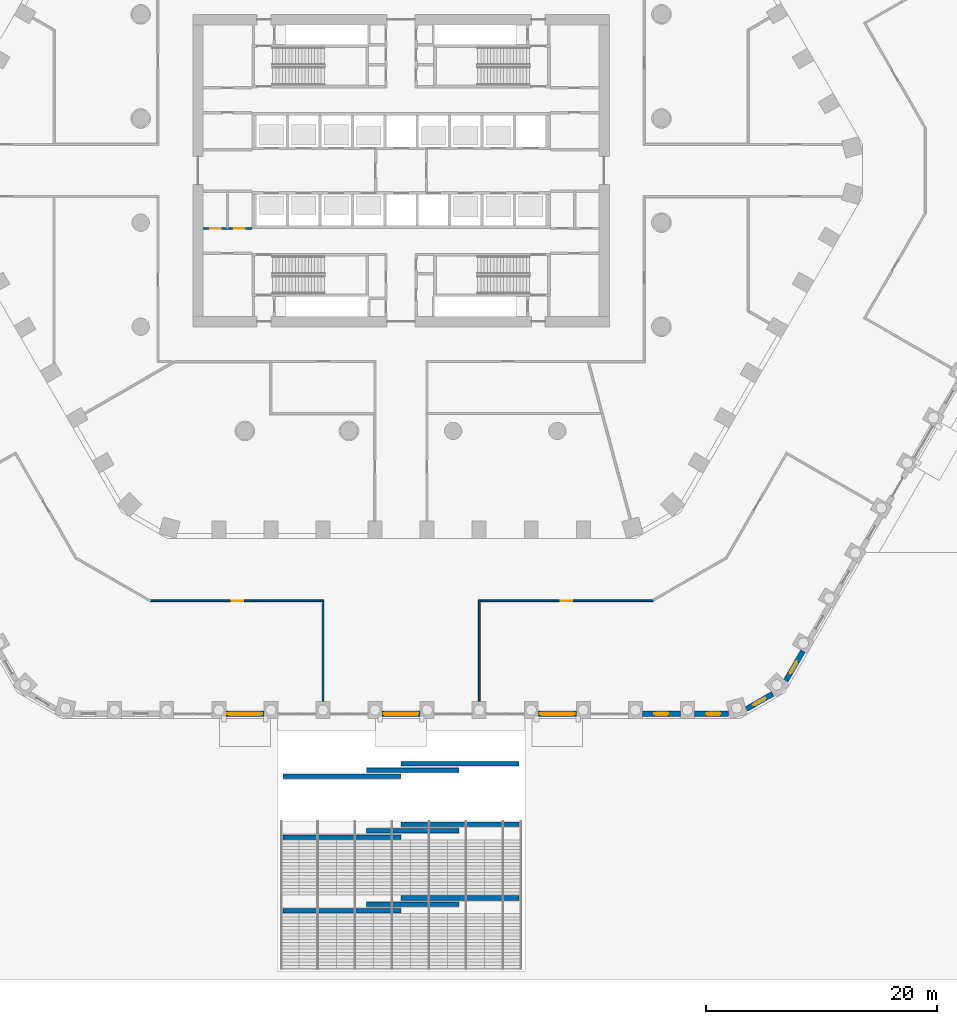
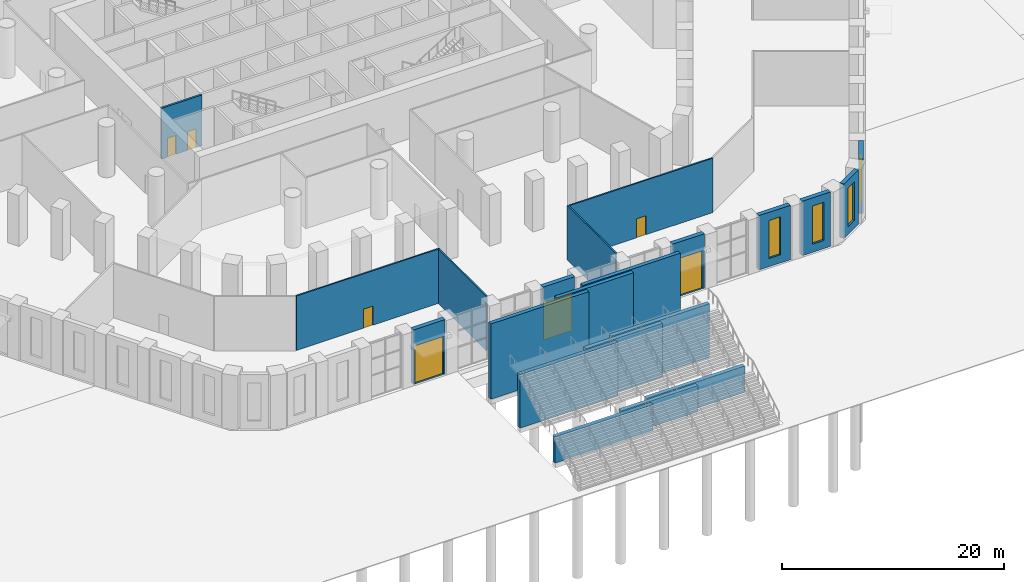
# One storey, part 15 of 44: 21 walls, 7 doors, 4 windows, 11 openings.
"""IFC4 building model written with IfcOpenShell, lengths in metres."""

import ifcopenshell
import ifcopenshell.guid

model = None  # the IFC model being written
_history = None  # IfcOwnerHistory: only IFC2X3 demands one
_inside = {}  # id of a spatial element -> (the spatial element, [elements in it])
_under = {}  # id of a project, library or spatial element -> (it, [spatial elements below it])
_declared = {}  # id of a project -> (the project, [libraries it declares])
_typed = {}  # id of a type object -> (the type object, [elements of that type])
_made_of = {}  # id of a material, layer set ... -> (it, [elements and type objects made of it])


def new_model(schema):
    """Start an empty IFC model of exactly this schema.

    Asked for "IFC4X3", IfcOpenShell would pick the latest addendum, in which some entities
    have other attributes; the version numbers below select the first issue.
    IFC2X3 requires an IfcOwnerHistory on every rooted entity: one is made here for all.
    """
    global model, _history
    if schema == "IFC4X3":
        model = ifcopenshell.file(schema_version=(4, 3, 0, 0))
    else:
        model = ifcopenshell.file(schema=schema)
    _inside.clear()
    _under.clear()
    _declared.clear()
    _typed.clear()
    _made_of.clear()
    _history = None
    if model.schema == "IFC2X3":
        org = make("IfcOrganization", Name="unknown")
        user = make(
            "IfcPersonAndOrganization",
            ThePerson=make("IfcPerson", FamilyName="unknown"),
            TheOrganization=org,
        )
        app = make(
            "IfcApplication",
            ApplicationDeveloper=org,
            Version="unknown",
            ApplicationFullName="unknown",
            ApplicationIdentifier="unknown",
        )
        _history = make(
            "IfcOwnerHistory",
            OwningUser=user,
            OwningApplication=app,
            ChangeAction="ADDED",
            CreationDate=0,
        )
    return model


def make(cls, **values):
    """One entity of the class cls with the attributes given. An attribute that is None is left unset."""
    return model.create_entity(
        cls, **{name: value for name, value in values.items() if value is not None}
    )


def rooted(cls, **values):
    """An entity with a GlobalId (a new one), such as an element, a storey or a relation."""
    return make(cls, GlobalId=ifcopenshell.guid.new(), OwnerHistory=_history, **values)


def si_unit(unit_type, name, prefix=None):
    """IfcSIUnit, for example si_unit("LENGTHUNIT", "METRE", prefix="MILLI")."""
    return make("IfcSIUnit", UnitType=unit_type, Prefix=prefix, Name=name)


def assignment(units):
    """IfcUnitAssignment: the units of a project."""
    return None if units is None else make("IfcUnitAssignment", Units=units)


def point(xyz):
    """IfcCartesianPoint."""
    return None if xyz is None else make("IfcCartesianPoint", Coordinates=xyz)


def direction(xyz):
    """IfcDirection."""
    return None if xyz is None else make("IfcDirection", DirectionRatios=xyz)


def frame(location, z_axis=None, x_axis=None):
    """IfcAxis2Placement3D, a coordinate frame: its origin and axes. An axis left out is left unset."""
    return make(
        "IfcAxis2Placement3D",
        Location=point(location),
        Axis=direction(z_axis),
        RefDirection=direction(x_axis),
    )


def frame_2d(location, x_axis=None):
    """IfcAxis2Placement2D, a coordinate frame in the plane: its origin and x axis."""
    return make(
        "IfcAxis2Placement2D", Location=point(location), RefDirection=direction(x_axis)
    )


def origin():
    """The frame at (0, 0, 0) with its axes left unset."""
    return frame((0.0, 0.0, 0.0))


def place(relative_to, where):
    """IfcLocalPlacement: puts the frame where relative to a parent placement (None: the world)."""
    return make(
        "IfcLocalPlacement", PlacementRelTo=relative_to, RelativePlacement=where
    )


def context(
    kind, dimensions, precision=None, world=None, true_north=None, identifier=None
):
    """IfcGeometricRepresentationContext, for example the 3D "Model" context."""
    return make(
        "IfcGeometricRepresentationContext",
        ContextIdentifier=identifier,
        ContextType=kind,
        CoordinateSpaceDimension=dimensions,
        Precision=precision,
        WorldCoordinateSystem=world,
        TrueNorth=true_north,
    )


def subcontext(parent, identifier, kind, view, scale=None):
    """IfcGeometricRepresentationSubContext, for example "Body" below "Model"."""
    return make(
        "IfcGeometricRepresentationSubContext",
        ContextIdentifier=identifier,
        ContextType=kind,
        ParentContext=parent,
        TargetScale=scale,
        TargetView=view,
    )


def project(units=None, contexts=None):
    """IfcProject with its units and contexts."""
    return rooted(
        "IfcProject",
        Name="project",
        RepresentationContexts=contexts,
        UnitsInContext=assignment(units),
    )


def spatial(cls, under=None, at=None, **own):
    """A site, building, storey or space (cls), placed at a placement, below another one or the project."""
    s = rooted(cls, ObjectPlacement=at, **own)
    if under is not None:
        _under.setdefault(under.id(), (under, []))[1].append(s)
    return s


def profile(cls, at=None, kind="AREA", **sizes):
    """A parametric profile (cls). Its sizes go by their IFC names, for example OverallWidth=200.0."""
    return make(cls, ProfileType=kind, Position=at, **sizes)


def rectangle(**sizes):
    """IfcRectangleProfileDef."""
    return profile("IfcRectangleProfileDef", **sizes)


def extrude(swept, where, along, depth):
    """IfcExtrudedAreaSolid: the profile swept, set in the frame where, extruded along a direction by depth."""
    return make(
        "IfcExtrudedAreaSolid",
        SweptArea=swept,
        Position=where,
        ExtrudedDirection=direction(along),
        Depth=depth,
    )


def shape(context_of_items, identifier, shape_type, items):
    """IfcShapeRepresentation: the items that make up one representation, for example the "Body"."""
    return make(
        "IfcShapeRepresentation",
        ContextOfItems=context_of_items,
        RepresentationIdentifier=identifier,
        RepresentationType=shape_type,
        Items=items,
    )


def material(Name=None, Category=None):
    """IfcMaterial."""
    return make("IfcMaterial", Name=Name, Category=Category)


def layer(
    of_material, thickness, ventilated=None, Name=None, Category=None, Priority=None
):
    """IfcMaterialLayer: one layer of a wall or slab, of a material (None: an air gap)."""
    return make(
        "IfcMaterialLayer",
        Material=of_material,
        LayerThickness=thickness,
        IsVentilated=ventilated,
        Name=Name,
        Category=Category,
        Priority=Priority,
    )


def layer_set(layers, Name=None):
    """IfcMaterialLayerSet."""
    return make("IfcMaterialLayerSet", MaterialLayers=layers, LayerSetName=Name)


def made_of(thing, what):
    """Note that an element or type object is made of a material, layer set ...; save() writes the relation."""
    if what is not None:
        _made_of.setdefault(what.id(), (what, []))[1].append(thing)
    return thing


def type_object(cls, material=None, **own):
    """A type object (cls), such as IfcWallType, which elements share."""
    return made_of(rooted(cls, **own), material)


def element(
    cls,
    number,
    at=None,
    inside=None,
    cuts=None,
    type_object=None,
    material=None,
    context=None,
    identifier="Body",
    shape_type=None,
    held_by="IfcProductDefinitionShape",
    body=None,
    shapes=None,
    **own,
):
    """One element of the class cls, such as IfcWall. Its Tag is "e" and its number.

    at: its placement. inside: the storey or other place that contains it. cuts: it is an
    opening in that element (IfcRelVoidsElement). A single representation is given by context,
    identifier, shape_type and body (its items); several are given by shapes. held_by: the class
    of the entity that holds the representations. save() writes the other relations.
    """
    e = rooted(cls, Tag="e%d" % number, ObjectPlacement=at, **own)
    if body is not None:
        shapes = [shape(context, identifier, shape_type, body)]
    if shapes is not None:
        e.Representation = make(held_by, Representations=shapes)
    if inside is not None:
        _inside.setdefault(inside.id(), (inside, []))[1].append(e)
    if cuts is not None:
        rooted(
            "IfcRelVoidsElement", RelatingBuildingElement=cuts, RelatedOpeningElement=e
        )
    if type_object is not None:
        _typed.setdefault(type_object.id(), (type_object, []))[1].append(e)
    return made_of(e, material)


def fill(opening, filler):
    """IfcRelFillsElement: the door or window that sits in an opening."""
    return rooted(
        "IfcRelFillsElement",
        RelatingOpeningElement=opening,
        RelatedBuildingElement=filler,
    )


def aggregate(whole, parts):
    """IfcRelAggregates: a whole, such as a stair, and the parts it consists of."""
    return rooted("IfcRelAggregates", RelatingObject=whole, RelatedObjects=parts)


def save(model, path):
    """Write the relations noted so far, then the file.

    IfcRelAggregates (storeys below a building ...), IfcRelContainedInSpatialStructure (elements
    in a storey), IfcRelDefinesByType, IfcRelAssociatesMaterial and IfcRelDeclares: one each for
    every whole, place, type object, material and project.
    """
    for whole, parts in _under.values():
        aggregate(whole, parts)
    for where, things in _inside.values():
        rooted(
            "IfcRelContainedInSpatialStructure",
            RelatedElements=things,
            RelatingStructure=where,
        )
    for kind, things in _typed.values():
        rooted("IfcRelDefinesByType", RelatedObjects=things, RelatingType=kind)
    for what, things in _made_of.values():
        rooted("IfcRelAssociatesMaterial", RelatedObjects=things, RelatingMaterial=what)
    for by, libraries in _declared.values():
        rooted("IfcRelDeclares", RelatingContext=by, RelatedDefinitions=libraries)
    model.write(path)


model = new_model("IFC4")

# Units and contexts
model_context = context("Model", 3, precision=1e-05, world=origin(), true_north=direction((0.0, 1.0)))
body_context = subcontext(model_context, "Body", "Model", "MODEL_VIEW")
ifc_project = project(units=[si_unit("LENGTHUNIT", "METRE"), si_unit("AREAUNIT", "SQUARE_METRE"), si_unit("VOLUMEUNIT", "CUBIC_METRE"), si_unit("PLANEANGLEUNIT", "RADIAN"), si_unit("MASSUNIT", "GRAM", prefix="KILO")], contexts=[model_context])

# Site, building, storey
site_placement = place(None, origin())
site = spatial("IfcSite", under=ifc_project, at=site_placement, CompositionType="ELEMENT")
building_placement = place(site_placement, origin())
building = spatial("IfcBuilding", under=site, at=building_placement, Name="Dhurran Vertical Campus", CompositionType="ELEMENT")
storey_placement = place(building_placement, origin())
storey = spatial("IfcBuildingStorey", under=building, at=storey_placement, Name="L00", CompositionType="ELEMENT", Elevation=0.0)

# Wall, opening, door
ifc_material_1 = material(Name="Precast concrete C50/60", Category="concrete")
ifc_layer_1 = layer(ifc_material_1, 0.449951171875)
ifc_layer_set_1 = layer_set([ifc_layer_1], Name="Precast concrete C50/60")
wall_type_1 = type_object("IfcWallType", Name="Precast base wall 450", PredefinedType="SOLIDWALL", material=ifc_layer_set_1)
wall_1_placement = place(storey_placement, frame((-11.8505859375, -46.943359375, 0.0), z_axis=(0.0, 0.0, 1.0), x_axis=(-1.0, 0.0, 0.0)))
wall_1 = element("IfcWall", 1, at=wall_1_placement, inside=storey, type_object=wall_type_1, Name="EW2 L00.03", PredefinedType="SOLIDWALL", context=body_context, shape_type="SweptSolid", body=[
    extrude(rectangle(XDim=3.298828125, YDim=0.449951171875, at=frame_2d((1.6494140625, 0.0))), origin(), (0.0, 0.0, 1.0), 6.0),
])
opening_1_placement = place(wall_1_placement, frame((0.1494140625, 0.0, 0.0)))
opening_1 = element("IfcOpeningElement", 2, at=opening_1_placement, cuts=wall_1, Name="Opening D001", PredefinedType="OPENING", context=body_context, shape_type="SweptSolid", body=[
    extrude(rectangle(XDim=3.0, YDim=4.199951171875, at=frame_2d((1.5, 2.10009765625))), frame((0.0, 0.23486328125, 0.0), z_axis=(0.0, -1.0, 0.0), x_axis=(1.0, 0.0, 0.0)), (0.0, 0.0, 1.0), 0.469970703125),
])
ifc_material_2 = material(Name="Aluminium and clear glass", Category="aluminium")
door_type_1 = type_object("IfcDoorType", Name="Aluminium and glass entrance portal door pair 3000 x 4200", OperationType="DOUBLE_DOOR_SINGLE_SWING", PredefinedType="DOOR", material=ifc_material_2)
door_1_placement = place(opening_1_placement, origin())
door_1 = element("IfcDoor", 3, at=door_1_placement, inside=storey, type_object=door_type_1, Name="D001 lecture theatre entrance", OperationType="DOUBLE_DOOR_SINGLE_SWING", OverallHeight=4.199951171875, OverallWidth=3.0, PredefinedType="DOOR", context=body_context, shape_type="SweptSolid", body=[
    extrude(rectangle(XDim=3.0, YDim=4.199951171875, at=frame_2d((1.5, 2.10009765625))), frame((0.0, 0.02490234375, 0.0), z_axis=(0.0, -1.0, 0.0), x_axis=(1.0, 0.0, 0.0)), (0.0, 0.0, 1.0), 0.050048828125),
])
fill(opening_1, door_1)

wall_2_placement = place(storey_placement, frame((1.6494140625, -46.943359375, 0.0), z_axis=(0.0, 0.0, 1.0), x_axis=(-1.0, 0.0, 0.0)))
wall_2 = element("IfcWall", 4, at=wall_2_placement, inside=storey, type_object=wall_type_1, Name="EW2 L00.06", PredefinedType="SOLIDWALL", context=body_context, shape_type="SweptSolid", body=[
    extrude(rectangle(XDim=3.298828125, YDim=0.449951171875, at=frame_2d((1.6494140625, 0.0))), origin(), (0.0, 0.0, 1.0), 6.0),
])
opening_2_placement = place(wall_2_placement, frame((0.1494140625, 0.0, 0.0)))
opening_2 = element("IfcOpeningElement", 5, at=opening_2_placement, cuts=wall_2, Name="Opening D002", PredefinedType="OPENING", context=body_context, shape_type="SweptSolid", body=[
    extrude(rectangle(XDim=3.0, YDim=4.199951171875, at=frame_2d((1.5, 2.10009765625))), frame((0.0, 0.23486328125, 0.0), z_axis=(0.0, -1.0, 0.0), x_axis=(1.0, 0.0, 0.0)), (0.0, 0.0, 1.0), 0.469970703125),
])
door_2_placement = place(opening_2_placement, origin())
door_2 = element("IfcDoor", 6, at=door_2_placement, inside=storey, type_object=door_type_1, Name="D002 main entrance", OperationType="DOUBLE_DOOR_SINGLE_SWING", OverallHeight=4.199951171875, OverallWidth=3.0, PredefinedType="DOOR", context=body_context, shape_type="SweptSolid", body=[
    extrude(rectangle(XDim=3.0, YDim=4.199951171875, at=frame_2d((1.5, 2.10009765625))), frame((0.0, 0.02490234375, 0.0), z_axis=(0.0, -1.0, 0.0), x_axis=(1.0, 0.0, 0.0)), (0.0, 0.0, 1.0), 0.050048828125),
])
fill(opening_2, door_2)

wall_3_placement = place(storey_placement, frame((15.1494140625, -46.943359375, 0.0), z_axis=(0.0, 0.0, 1.0), x_axis=(-1.0, 0.0, 0.0)))
wall_3 = element("IfcWall", 7, at=wall_3_placement, inside=storey, type_object=wall_type_1, Name="EW2 L00.09", PredefinedType="SOLIDWALL", context=body_context, shape_type="SweptSolid", body=[
    extrude(rectangle(XDim=3.298828125, YDim=0.449951171875, at=frame_2d((1.6494140625, 0.0))), origin(), (0.0, 0.0, 1.0), 6.0),
])
opening_3_placement = place(wall_3_placement, frame((0.1494140625, 0.0, 0.0)))
opening_3 = element("IfcOpeningElement", 8, at=opening_3_placement, cuts=wall_3, Name="Opening D003", PredefinedType="OPENING", context=body_context, shape_type="SweptSolid", body=[
    extrude(rectangle(XDim=3.0, YDim=4.199951171875, at=frame_2d((1.5, 2.10009765625))), frame((0.0, 0.23486328125, 0.0), z_axis=(0.0, -1.0, 0.0), x_axis=(1.0, 0.0, 0.0)), (0.0, 0.0, 1.0), 0.469970703125),
])
door_3_placement = place(opening_3_placement, origin())
door_3 = element("IfcDoor", 9, at=door_3_placement, inside=storey, type_object=door_type_1, Name="D003 lecture theatre entrance", OperationType="DOUBLE_DOOR_SINGLE_SWING", OverallHeight=4.199951171875, OverallWidth=3.0, PredefinedType="DOOR", context=body_context, shape_type="SweptSolid", body=[
    extrude(rectangle(XDim=3.0, YDim=4.199951171875, at=frame_2d((1.5, 2.10009765625))), frame((0.0, 0.02490234375, 0.0), z_axis=(0.0, -1.0, 0.0), x_axis=(1.0, 0.0, 0.0)), (0.0, 0.0, 1.0), 0.050048828125),
])
fill(opening_3, door_3)

# Wall, opening, window
wall_4_placement = place(storey_placement, frame((20.8505859375, -46.943359375, 0.0), z_axis=(0.0, 0.0, 1.0), x_axis=(1.0, 0.0, 0.0)))
wall_4 = element("IfcWall", 10, at=wall_4_placement, inside=storey, type_object=wall_type_1, Name="EW2 L00.11", PredefinedType="SOLIDWALL", context=body_context, shape_type="SweptSolid", body=[
    extrude(rectangle(XDim=3.298828125, YDim=0.449951171875, at=frame_2d((1.6494140625, 0.0))), origin(), (0.0, 0.0, 1.0), 6.0),
])
opening_4_placement = place(wall_4_placement, frame((1.049560546875, 0.0, 0.89990234375)))
opening_4 = element("IfcOpeningElement", 11, at=opening_4_placement, cuts=wall_4, Name="Opening WT5", PredefinedType="OPENING", context=body_context, shape_type="SweptSolid", body=[
    extrude(rectangle(XDim=1.199951171875, YDim=4.199951171875, at=frame_2d((0.60009765625, 2.10009765625))), frame((0.0, 0.23486328125, 0.0), z_axis=(0.0, -1.0, 0.0), x_axis=(1.0, 0.0, 0.0)), (0.0, 0.0, 1.0), 0.469970703125),
])
ifc_material_3 = material(Name="Aluminium frame with solar-control glass", Category="aluminium")
window_type = type_object("IfcWindowType", Name="Ring slot window 1200 x 4200", PartitioningType="SINGLE_PANEL", PredefinedType="WINDOW", material=ifc_material_3)
window_1_placement = place(opening_4_placement, origin())
window_1 = element("IfcWindow", 12, at=window_1_placement, inside=storey, type_object=window_type, Name="WT5 L00.11", OverallHeight=4.199951171875, OverallWidth=1.199951171875, PartitioningType="SINGLE_PANEL", PredefinedType="WINDOW", context=body_context, shape_type="SweptSolid", body=[
    extrude(rectangle(XDim=1.199951171875, YDim=4.199951171875, at=frame_2d((0.60009765625, 2.10009765625))), frame((0.0, 0.030029296875, 0.0), z_axis=(0.0, -1.0, 0.0), x_axis=(1.0, 0.0, 0.0)), (0.0, 0.0, 1.0), 0.06005859375),
])
fill(opening_4, window_1)

wall_5_placement = place(storey_placement, frame((25.3505859375, -46.943359375, 0.0), z_axis=(0.0, 0.0, 1.0), x_axis=(1.0, 0.0, 0.0)))
wall_5 = element("IfcWall", 13, at=wall_5_placement, inside=storey, type_object=wall_type_1, Name="EW2 L00.12", PredefinedType="SOLIDWALL", context=body_context, shape_type="SweptSolid", body=[
    extrude(rectangle(XDim=2.948486328125, YDim=0.449951171875, at=frame_2d((1.47412109375, 0.0))), origin(), (0.0, 0.0, 1.0), 6.0),
])
opening_5_placement = place(wall_5_placement, frame((1.049560546875, 0.0, 0.89990234375)))
opening_5 = element("IfcOpeningElement", 14, at=opening_5_placement, cuts=wall_5, Name="Opening WT5", PredefinedType="OPENING", context=body_context, shape_type="SweptSolid", body=[
    extrude(rectangle(XDim=1.199951171875, YDim=4.199951171875, at=frame_2d((0.60009765625, 2.10009765625))), frame((0.0, 0.23486328125, 0.0), z_axis=(0.0, -1.0, 0.0), x_axis=(1.0, 0.0, 0.0)), (0.0, 0.0, 1.0), 0.469970703125),
])
window_2_placement = place(opening_5_placement, origin())
window_2 = element("IfcWindow", 15, at=window_2_placement, inside=storey, type_object=window_type, Name="WT5 L00.12", OverallHeight=4.199951171875, OverallWidth=1.199951171875, PartitioningType="SINGLE_PANEL", PredefinedType="WINDOW", context=body_context, shape_type="SweptSolid", body=[
    extrude(rectangle(XDim=1.199951171875, YDim=4.199951171875, at=frame_2d((0.60009765625, 2.10009765625))), frame((0.0, 0.030029296875, 0.0), z_axis=(0.0, -1.0, 0.0), x_axis=(1.0, 0.0, 0.0)), (0.0, 0.0, 1.0), 0.06005859375),
])
fill(opening_5, window_2)

wall_6_placement = place(storey_placement, frame((29.861083984375, -46.524658203125, 0.0), z_axis=(0.0, 0.0, 1.0), x_axis=(0.866019710441, 0.50000986103, 0.0)))
wall_6 = element("IfcWall", 16, at=wall_6_placement, inside=storey, type_object=wall_type_1, Name="EW2 L00.13", PredefinedType="SOLIDWALL", context=body_context, shape_type="SweptSolid", body=[
    extrude(rectangle(XDim=2.59814453125, YDim=0.449951171875, at=frame_2d((1.299072265625, 0.0))), origin(), (0.0, 0.0, 1.0), 6.0),
])
opening_6_placement = place(wall_6_placement, frame((0.69921875, 0.0, 0.89990234375)))
opening_6 = element("IfcOpeningElement", 17, at=opening_6_placement, cuts=wall_6, Name="Opening WT5", PredefinedType="OPENING", context=body_context, shape_type="SweptSolid", body=[
    extrude(rectangle(XDim=1.199951171875, YDim=4.199951171875, at=frame_2d((0.60009765625, 2.10009765625))), frame((0.0, 0.23486328125, 0.0), z_axis=(0.0, -1.0, 0.0), x_axis=(1.0, 0.0, 0.0)), (0.0, 0.0, 1.0), 0.469970703125),
])
window_3_placement = place(opening_6_placement, origin())
window_3 = element("IfcWindow", 18, at=window_3_placement, inside=storey, type_object=window_type, Name="WT5 L00.13", OverallHeight=4.199951171875, OverallWidth=1.199951171875, PartitioningType="SINGLE_PANEL", PredefinedType="WINDOW", context=body_context, shape_type="SweptSolid", body=[
    extrude(rectangle(XDim=1.199951171875, YDim=4.199951171875, at=frame_2d((0.60009765625, 2.10009765625))), frame((0.0, 0.030029296875, 0.0), z_axis=(0.0, -1.0, 0.0), x_axis=(1.0, 0.0, 0.0)), (0.0, 0.0, 1.0), 0.06005859375),
])
fill(opening_6, window_3)

wall_7_placement = place(storey_placement, frame((33.25439453125, -44.082275390625, 0.0), z_axis=(0.0, 0.0, 1.0), x_axis=(0.500030648271, 0.866007708274, 0.0)))
wall_7 = element("IfcWall", 19, at=wall_7_placement, inside=storey, type_object=wall_type_1, Name="EW2 L00.14", PredefinedType="SOLIDWALL", context=body_context, shape_type="SweptSolid", body=[
    extrude(rectangle(XDim=2.948486328125, YDim=0.449951171875, at=frame_2d((1.47412109375, 0.0))), origin(), (0.0, 0.0, 1.0), 6.0),
])
opening_7_placement = place(wall_7_placement, frame((0.69921875, 0.0, 0.89990234375)))
opening_7 = element("IfcOpeningElement", 20, at=opening_7_placement, cuts=wall_7, Name="Opening WT5", PredefinedType="OPENING", context=body_context, shape_type="SweptSolid", body=[
    extrude(rectangle(XDim=1.199951171875, YDim=4.199951171875, at=frame_2d((0.60009765625, 2.10009765625))), frame((0.0, 0.23486328125, 0.0), z_axis=(0.0, -1.0, 0.0), x_axis=(1.0, 0.0, 0.0)), (0.0, 0.0, 1.0), 0.469970703125),
])
window_4_placement = place(opening_7_placement, origin())
window_4 = element("IfcWindow", 21, at=window_4_placement, inside=storey, type_object=window_type, Name="WT5 L00.14", OverallHeight=4.199951171875, OverallWidth=1.199951171875, PartitioningType="SINGLE_PANEL", PredefinedType="WINDOW", context=body_context, shape_type="SweptSolid", body=[
    extrude(rectangle(XDim=1.199951171875, YDim=4.199951171875, at=frame_2d((0.60009765625, 2.10009765625))), frame((0.0, 0.030029296875, 0.0), z_axis=(0.0, -1.0, 0.0), x_axis=(1.0, 0.0, 0.0)), (0.0, 0.0, 1.0), 0.06005859375),
])
fill(opening_7, window_4)

# Wall, openings, doors
ifc_material_4 = material(Name="Fire-rated masonry blockwork", Category="masonry")
ifc_layer_2 = layer(ifc_material_4, 0.199951171875)
ifc_layer_set_2 = layer_set([ifc_layer_2], Name="Fire-rated masonry blockwork")
wall_type_2 = type_object("IfcWallType", Name="co-FIRE-PARTITION-200", PredefinedType="PARTITIONING", material=ifc_layer_set_2)
wall_8_placement = place(storey_placement, frame((-17.10009765625, -5.0, 0.0), z_axis=(0.0, 0.0, 1.0), x_axis=(1.0, 0.0, 0.0)))
wall_8 = element("IfcWall", 22, at=wall_8_placement, inside=storey, type_object=wall_type_2, Name="Core partition es-SW-w L00", PredefinedType="PARTITIONING", context=body_context, shape_type="SweptSolid", body=[
    extrude(rectangle(XDim=4.2001953125, YDim=0.199951171875, at=frame_2d((2.10009765625, 0.0))), origin(), (0.0, 0.0, 1.0), 5.60009765625),
])
opening_8_placement = place(wall_8_placement, frame((0.60009765625, 0.0, 0.0)))
opening_8 = element("IfcOpeningElement", 23, at=opening_8_placement, cuts=wall_8, Name="Opening PD00-C20", PredefinedType="OPENING", context=body_context, shape_type="SweptSolid", body=[
    extrude(rectangle(XDim=0.89990234375, YDim=2.10009765625, at=frame_2d((0.449951171875, 1.050048828125))), frame((0.0, 0.10986328125, 0.0), z_axis=(0.0, -1.0, 0.0), x_axis=(1.0, 0.0, 0.0)), (0.0, 0.0, 1.0), 0.219970703125),
])
opening_9_placement = place(wall_8_placement, frame((2.699951171875, 0.0, 0.0)))
opening_9 = element("IfcOpeningElement", 24, at=opening_9_placement, cuts=wall_8, Name="Opening PD00-C21", PredefinedType="OPENING", context=body_context, shape_type="SweptSolid", body=[
    extrude(rectangle(XDim=0.89990234375, YDim=2.10009765625, at=frame_2d((0.449951171875, 1.050048828125))), frame((0.0, 0.10986328125, 0.0), z_axis=(0.0, -1.0, 0.0), x_axis=(1.0, 0.0, 0.0)), (0.0, 0.0, 1.0), 0.219970703125),
])
ifc_material_5 = material(Name="Fire-rated timber door set", Category="wood")
door_type_2 = type_object("IfcDoorType", Name="co-D-ROOM 900x2100", OperationType="SINGLE_SWING_LEFT", PredefinedType="DOOR", material=ifc_material_5)
door_4_placement = place(opening_8_placement, origin())
door_4 = element("IfcDoor", 25, at=door_4_placement, inside=storey, type_object=door_type_2, Name="Plant room door L00", OperationType="SINGLE_SWING_LEFT", OverallHeight=2.10009765625, OverallWidth=0.89990234375, PredefinedType="DOOR", context=body_context, shape_type="SweptSolid", body=[
    extrude(rectangle(XDim=0.89990234375, YDim=2.10009765625, at=frame_2d((0.449951171875, 1.050048828125))), frame((0.0, 0.02490234375, 0.0), z_axis=(0.0, -1.0, 0.0), x_axis=(1.0, 0.0, 0.0)), (0.0, 0.0, 1.0), 0.050048828125),
])
fill(opening_8, door_4)
door_5_placement = place(opening_9_placement, origin())
door_5 = element("IfcDoor", 26, at=door_5_placement, inside=storey, type_object=door_type_2, Name="Electrical riser door L00", OperationType="SINGLE_SWING_LEFT", OverallHeight=2.10009765625, OverallWidth=0.89990234375, PredefinedType="DOOR", context=body_context, shape_type="SweptSolid", body=[
    extrude(rectangle(XDim=0.89990234375, YDim=2.10009765625, at=frame_2d((0.449951171875, 1.050048828125))), frame((0.0, 0.02490234375, 0.0), z_axis=(0.0, -1.0, 0.0), x_axis=(1.0, 0.0, 0.0)), (0.0, 0.0, 1.0), 0.050048828125),
])
fill(opening_9, door_5)

# Wall, opening, door
ifc_material_6 = material(Name="Gypsum board corridor wall on steel studs", Category="steel")
ifc_layer_3 = layer(ifc_material_6, 0.14990234375)
ifc_layer_set_3 = layer_set([ifc_layer_3], Name="Gypsum board corridor wall on steel studs")
wall_type_3 = type_object("IfcWallType", Name="fl-CW-150 corridor wall", PredefinedType="PARTITIONING", material=ifc_layer_set_3)
wall_9_placement = place(storey_placement, frame((-6.675048828125, -37.179931640625, 0.0), z_axis=(0.0, 0.0, 1.0), x_axis=(-1.0, 0.0, 0.0)))
wall_9 = element("IfcWall", 27, at=wall_9_placement, inside=storey, type_object=wall_type_3, Name="Partition 00-21", PredefinedType="PARTITIONING", context=body_context, shape_type="SweptSolid", body=[
    extrude(rectangle(XDim=14.947021484375, YDim=0.14990234375, at=frame_2d((7.4736328125, 0.0))), origin(), (0.0, 0.0, 1.0), 6.0),
])
opening_10_placement = place(wall_9_placement, frame((6.973388671875, 0.0, 0.0)))
opening_10 = element("IfcOpeningElement", 28, at=opening_10_placement, cuts=wall_9, Name="Opening PD00.01", PredefinedType="OPENING", context=body_context, shape_type="SweptSolid", body=[
    extrude(rectangle(XDim=1.0, YDim=2.10009765625, at=frame_2d((0.5, 1.050048828125))), frame((0.0, 0.0849609375, 0.0), z_axis=(0.0, -1.0, 0.0), x_axis=(1.0, 0.0, 0.0)), (0.0, 0.0, 1.0), 0.169921875),
])
ifc_material_7 = material(Name="Solid-core timber door set, fire-rated", Category="wood")
door_type_3 = type_object("IfcDoorType", Name="fl-D-1000x2100", OperationType="SINGLE_SWING_LEFT", PredefinedType="DOOR", material=ifc_material_7)
door_6_placement = place(opening_10_placement, origin())
door_6 = element("IfcDoor", 29, at=door_6_placement, inside=storey, type_object=door_type_3, Name="Door 00.01", OperationType="SINGLE_SWING_LEFT", OverallHeight=2.10009765625, OverallWidth=1.0, PredefinedType="DOOR", context=body_context, shape_type="SweptSolid", body=[
    extrude(rectangle(XDim=1.0, YDim=2.10009765625, at=frame_2d((0.5, 1.050048828125))), frame((0.0, 0.02490234375, 0.0), z_axis=(0.0, -1.0, 0.0), x_axis=(1.0, 0.0, 0.0)), (0.0, 0.0, 1.0), 0.050048828125),
])
fill(opening_10, door_6)

# Walls
wall_10_placement = place(storey_placement, frame((-6.75, -45.848388671875, 0.0), z_axis=(0.0, 0.0, 1.0), x_axis=(0.0, 1.0, 0.0)))
element("IfcWall", 30, at=wall_10_placement, inside=storey, type_object=wall_type_3, Name="Partition 00-32", PredefinedType="PARTITIONING", context=body_context, shape_type="SweptSolid", body=[
    extrude(rectangle(XDim=8.593505859375, YDim=0.14990234375, at=frame_2d((4.296875, 0.0))), origin(), (0.0, 0.0, 1.0), 6.0),
])
wall_11_placement = place(storey_placement, frame((6.75, -37.10498046875, 0.0), z_axis=(0.0, 0.0, 1.0), x_axis=(0.0, -1.0, 0.0)))
element("IfcWall", 31, at=wall_11_placement, inside=storey, type_object=wall_type_3, Name="Partition 00-52", PredefinedType="PARTITIONING", context=body_context, shape_type="SweptSolid", body=[
    extrude(rectangle(XDim=8.743408203125, YDim=0.14990234375, at=frame_2d((4.37158203125, 0.0))), origin(), (0.0, 0.0, 1.0), 6.0),
])

# Wall, opening, door
wall_12_placement = place(storey_placement, frame((21.77197265625, -37.179931640625, 0.0), z_axis=(0.0, 0.0, 1.0), x_axis=(-1.0, 0.0, 0.0)))
wall_12 = element("IfcWall", 32, at=wall_12_placement, inside=storey, type_object=wall_type_3, Name="Partition 00-53", PredefinedType="PARTITIONING", context=body_context, shape_type="SweptSolid", body=[
    extrude(rectangle(XDim=14.947021484375, YDim=0.14990234375, at=frame_2d((7.4736328125, 0.0))), origin(), (0.0, 0.0, 1.0), 6.0),
])
opening_11_placement = place(wall_12_placement, frame((6.973388671875, 0.0, 0.0)))
opening_11 = element("IfcOpeningElement", 33, at=opening_11_placement, cuts=wall_12, Name="Opening PD00.03", PredefinedType="OPENING", context=body_context, shape_type="SweptSolid", body=[
    extrude(rectangle(XDim=1.0, YDim=2.10009765625, at=frame_2d((0.5, 1.050048828125))), frame((0.0, 0.0849609375, 0.0), z_axis=(0.0, -1.0, 0.0), x_axis=(1.0, 0.0, 0.0)), (0.0, 0.0, 1.0), 0.169921875),
])
door_7_placement = place(opening_11_placement, origin())
door_7 = element("IfcDoor", 34, at=door_7_placement, inside=storey, type_object=door_type_3, Name="Door 00.03", OperationType="SINGLE_SWING_LEFT", OverallHeight=2.10009765625, OverallWidth=1.0, PredefinedType="DOOR", context=body_context, shape_type="SweptSolid", body=[
    extrude(rectangle(XDim=1.0, YDim=2.10009765625, at=frame_2d((0.5, 1.050048828125))), frame((0.0, 0.02490234375, 0.0), z_axis=(0.0, -1.0, 0.0), x_axis=(1.0, 0.0, 0.0)), (0.0, 0.0, 1.0), 0.050048828125),
])
fill(opening_11, door_7)

# Walls
ifc_material_8 = material(Name="Concrete C35/45", Category="concrete")
ifc_layer_4 = layer(ifc_material_8, 0.39990234375)
ifc_layer_set_4 = layer_set([ifc_layer_4], Name="Concrete C35/45")
wall_type_4 = type_object("IfcWallType", Name="st-plinth wall 400", PredefinedType="SOLIDWALL", material=ifc_layer_set_4)
wall_13_placement = place(storey_placement, frame((-10.199951171875, -63.958251953125, -0.10009765625), z_axis=(0.0, 0.0, 1.0), x_axis=(1.0, 0.0, 0.0)))
element("IfcWall", 35, at=wall_13_placement, inside=storey, type_object=wall_type_4, Name="Plinth wall DS1-1", PredefinedType="SOLIDWALL", context=body_context, shape_type="SweptSolid", body=[
    extrude(rectangle(XDim=10.199951171875, YDim=0.39990234375, at=frame_2d((5.10009765625, 0.0))), origin(), (0.0, 0.0, 1.0), 2.900146484375),
])
wall_14_placement = place(storey_placement, frame((-3.0, -63.408203125, -0.10009765625), z_axis=(0.0, 0.0, 1.0), x_axis=(1.0, 0.0, 0.0)))
element("IfcWall", 36, at=wall_14_placement, inside=storey, type_object=wall_type_4, Name="Plinth wall DS1-2", PredefinedType="SOLIDWALL", context=body_context, shape_type="SweptSolid", body=[
    extrude(rectangle(XDim=8.0, YDim=0.39990234375, at=frame_2d((4.0, 0.0))), origin(), (0.0, 0.0, 1.0), 2.900146484375),
])
wall_15_placement = place(storey_placement, frame((0.0, -62.858154296875, -0.10009765625), z_axis=(0.0, 0.0, 1.0), x_axis=(1.0, 0.0, 0.0)))
element("IfcWall", 37, at=wall_15_placement, inside=storey, type_object=wall_type_4, Name="Plinth wall DS1-3", PredefinedType="SOLIDWALL", context=body_context, shape_type="SweptSolid", body=[
    extrude(rectangle(XDim=10.199951171875, YDim=0.39990234375, at=frame_2d((5.10009765625, 0.0))), origin(), (0.0, 0.0, 1.0), 2.900146484375),
])
wall_16_placement = place(storey_placement, frame((-10.199951171875, -57.59814453125, -0.10009765625), z_axis=(0.0, 0.0, 1.0), x_axis=(1.0, 0.0, 0.0)))
element("IfcWall", 38, at=wall_16_placement, inside=storey, type_object=wall_type_4, Name="Plinth wall DS1-4", PredefinedType="SOLIDWALL", context=body_context, shape_type="SweptSolid", body=[
    extrude(rectangle(XDim=10.199951171875, YDim=0.39990234375, at=frame_2d((5.10009765625, 0.0))), origin(), (0.0, 0.0, 1.0), 5.900146484375),
])
wall_17_placement = place(storey_placement, frame((-3.0, -57.04833984375, -0.10009765625), z_axis=(0.0, 0.0, 1.0), x_axis=(1.0, 0.0, 0.0)))
element("IfcWall", 39, at=wall_17_placement, inside=storey, type_object=wall_type_4, Name="Plinth wall DS1-5", PredefinedType="SOLIDWALL", context=body_context, shape_type="SweptSolid", body=[
    extrude(rectangle(XDim=8.0, YDim=0.39990234375, at=frame_2d((4.0, 0.0))), origin(), (0.0, 0.0, 1.0), 5.900146484375),
])
wall_18_placement = place(storey_placement, frame((0.0, -56.498291015625, -0.10009765625), z_axis=(0.0, 0.0, 1.0), x_axis=(1.0, 0.0, 0.0)))
element("IfcWall", 40, at=wall_18_placement, inside=storey, type_object=wall_type_4, Name="Plinth wall DS1-6", PredefinedType="SOLIDWALL", context=body_context, shape_type="SweptSolid", body=[
    extrude(rectangle(XDim=10.199951171875, YDim=0.39990234375, at=frame_2d((5.10009765625, 0.0))), origin(), (0.0, 0.0, 1.0), 5.900146484375),
])
wall_19_placement = place(storey_placement, frame((-10.199951171875, -52.358154296875, -0.10009765625), z_axis=(0.0, 0.0, 1.0), x_axis=(1.0, 0.0, 0.0)))
element("IfcWall", 41, at=wall_19_placement, inside=storey, type_object=wall_type_4, Name="Plinth wall DS2-1", PredefinedType="SOLIDWALL", context=body_context, shape_type="SweptSolid", body=[
    extrude(rectangle(XDim=10.199951171875, YDim=0.39990234375, at=frame_2d((5.10009765625, 0.0))), origin(), (0.0, 0.0, 1.0), 8.300048828125),
])
wall_20_placement = place(storey_placement, frame((-3.0, -51.808349609375, -0.10009765625), z_axis=(0.0, 0.0, 1.0), x_axis=(1.0, 0.0, 0.0)))
element("IfcWall", 42, at=wall_20_placement, inside=storey, type_object=wall_type_4, Name="Plinth wall DS2-2", PredefinedType="SOLIDWALL", context=body_context, shape_type="SweptSolid", body=[
    extrude(rectangle(XDim=8.0, YDim=0.39990234375, at=frame_2d((4.0, 0.0))), origin(), (0.0, 0.0, 1.0), 8.300048828125),
])
wall_21_placement = place(storey_placement, frame((0.0, -51.25830078125, -0.10009765625), z_axis=(0.0, 0.0, 1.0), x_axis=(1.0, 0.0, 0.0)))
element("IfcWall", 43, at=wall_21_placement, inside=storey, type_object=wall_type_4, Name="Plinth wall DS2-3", PredefinedType="SOLIDWALL", context=body_context, shape_type="SweptSolid", body=[
    extrude(rectangle(XDim=10.199951171875, YDim=0.39990234375, at=frame_2d((5.10009765625, 0.0))), origin(), (0.0, 0.0, 1.0), 8.300048828125),
])

save(model, "model.ifc")
